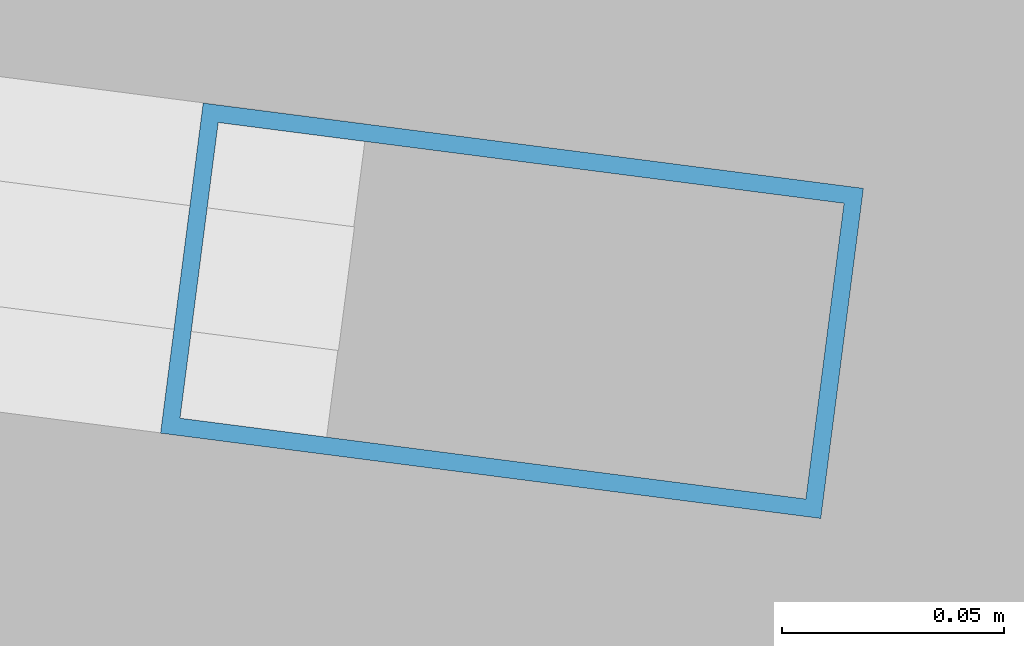
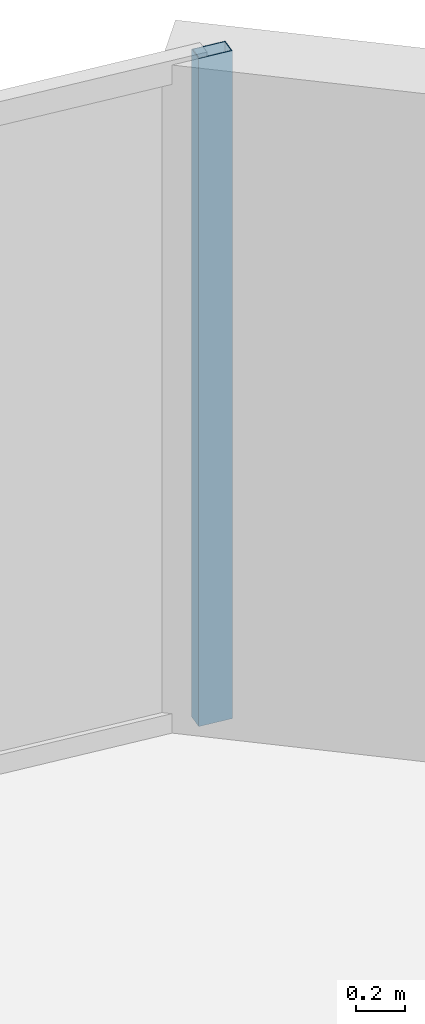
# One storey, part 19 of 32: 1 member, 1 element without a shape of its own.
"""IFC4 building model written with IfcOpenShell, lengths in metres."""

from ifc_helpers import new_model, si_unit, direction, frame, origin, origin_2d, place, context, subcontext, project, spatial, hollow_rectangle, extrude, material, layer, layer_set, material_profile, profile_set, type_object, element, aggregate, save


model = new_model("IFC4")

# Units and contexts
model_context = context("Model", 3, precision=1e-05, world=origin(), true_north=direction((0.0, 1.0)))
body_context = subcontext(model_context, "Body", "Model", "MODEL_VIEW")
ifc_project = project(units=[si_unit("LENGTHUNIT", "METRE"), si_unit("AREAUNIT", "SQUARE_METRE"), si_unit("VOLUMEUNIT", "CUBIC_METRE"), si_unit("PLANEANGLEUNIT", "RADIAN"), si_unit("MASSUNIT", "GRAM", prefix="KILO")], contexts=[model_context])

# Site, building, storey
site_placement = place(None, origin())
site = spatial("IfcSite", under=ifc_project, at=site_placement, CompositionType="ELEMENT")
building_placement = place(site_placement, origin())
building = spatial("IfcBuilding", under=site, at=building_placement, Name="Kazevale Care Tower and Concert Hall", CompositionType="ELEMENT")
storey_placement = place(building_placement, frame((0.0, 0.0, 34.800048828125)))
storey = spatial("IfcBuildingStorey", under=building, at=storey_placement, Name="L08", CompositionType="ELEMENT", Elevation=34.800048828125)

# Curtain wall, member
ifc_material_1 = material(Name="Aluminium 6063-T6 and Low-E Glass", Category="aluminium")
ifc_layer = layer(ifc_material_1, 0.179931640625)
ifc_layer_set = layer_set([ifc_layer], Name="Aluminium 6063-T6 and Low-E Glass")
curtain_wall_type = type_object("IfcCurtainWallType", Name="Convex Recessed Sunroom Curtain Wall CW-3", PredefinedType="NOTDEFINED", material=ifc_layer_set)
curtain_wall_placement = place(storey_placement, origin())
curtain_wall = element("IfcCurtainWall", 1, at=curtain_wall_placement, inside=storey, type_object=curtain_wall_type, Name="cw:L08:f16", PredefinedType="NOTDEFINED")
ifc_material_2 = material(Name="Aluminium 6063-T6", Category="aluminium")
ifc_material_profile = material_profile(ifc_material_2, hollow_rectangle(XDim=0.074951171875, YDim=0.14990234375, WallThickness=0.00390625, at=origin_2d()), Name="ALU75x150x4")
ifc_profile_set = profile_set([ifc_material_profile], Name="Aluminium 6063-T6")
member_type = type_object("IfcMemberType", Name="CW-3 Mullion ALU75x150x4", PredefinedType="MULLION", material=ifc_profile_set)
member_placement = place(storey_placement, frame((65.0029296875, 62.84375, 0.0), z_axis=(0.0, 0.0, 1.0), x_axis=(0.128086196538, 0.991763039368, 0.0)))
member = element("IfcMember", 2, at=member_placement, type_object=member_type, Name="CW-3 mullion 2", PredefinedType="MULLION", context=body_context, shape_type="SweptSolid", body=[
    extrude(hollow_rectangle(XDim=0.074951171875, YDim=0.14990234375, WallThickness=0.00390625, at=origin_2d()), origin(), (0.0, 0.0, 1.0), 3.35986328125),
])
aggregate(curtain_wall, [member])

save(model, "model.ifc")
